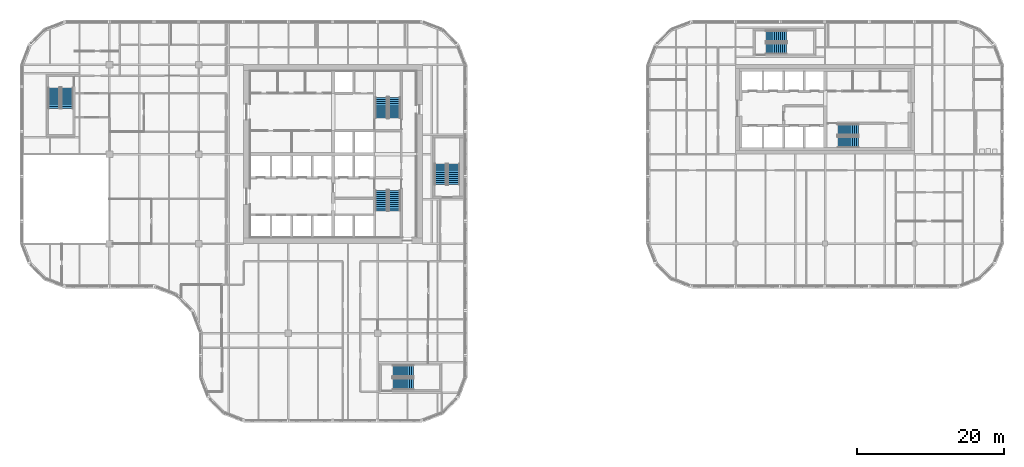
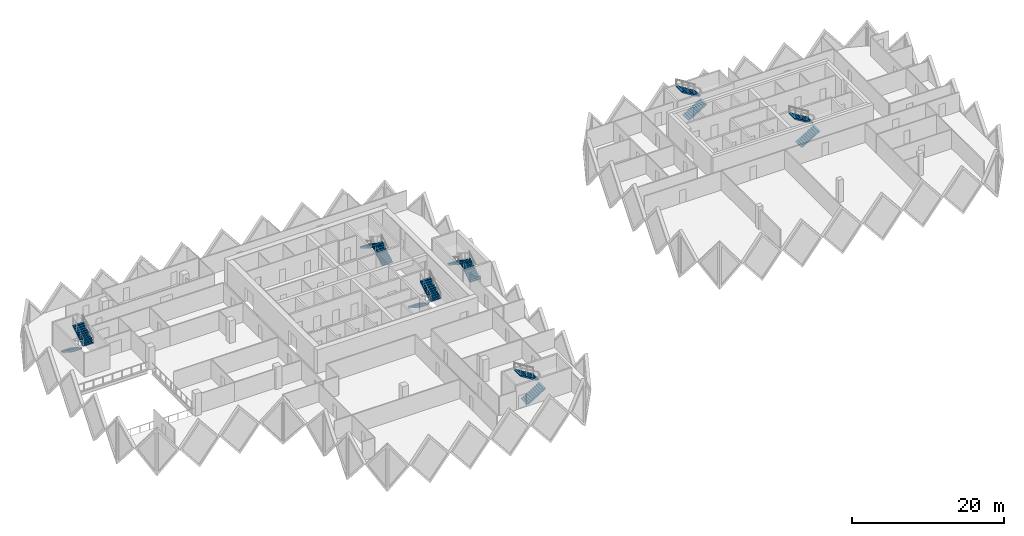
# One storey, part 16 of 19: 14 stair flights, 7 elements without a shape of their own.
"""IFC4 building model written with IfcOpenShell, lengths in metres."""

from ifc_helpers import new_model, si_unit, direction, frame, origin, place, context, subcontext, project, spatial, polyline, outline, extrude, material, type_object, element, aggregate, save


model = new_model("IFC4")

# Units and contexts
model_context = context("Model", 3, precision=1e-05, world=origin(), true_north=direction((0.0, 1.0)))
body_context = subcontext(model_context, "Body", "Model", "MODEL_VIEW")
ifc_project = project(units=[si_unit("LENGTHUNIT", "METRE"), si_unit("AREAUNIT", "SQUARE_METRE"), si_unit("VOLUMEUNIT", "CUBIC_METRE"), si_unit("PLANEANGLEUNIT", "RADIAN"), si_unit("MASSUNIT", "GRAM", prefix="KILO")], contexts=[model_context])

# Site, building, storey
site_placement = place(None, origin())
site = spatial("IfcSite", under=ifc_project, at=site_placement, CompositionType="ELEMENT")
building_placement = place(site_placement, origin())
building = spatial("IfcBuilding", under=site, at=building_placement, Name="Tessera Gate Towers", CompositionType="ELEMENT")
storey_placement = place(building_placement, frame((0.0, 0.0, 80.0)))
storey = spatial("IfcBuildingStorey", under=building, at=storey_placement, Name="L19", CompositionType="ELEMENT", Elevation=80.0)

# Stair, stair flights
ifc_material_1 = material(Name="Concrete C40/50", Category="concrete")
stair_type_1 = type_object("IfcStairType", Name="EXIT STAIR ST1 1600", PredefinedType="HALF_TURN_STAIR", material=ifc_material_1)
stair_1_placement = place(storey_placement, origin())
stair_1 = element("IfcStair", 1, at=stair_1_placement, inside=storey, type_object=stair_type_1, Name="L19 Protected Exit Stair ST1", PredefinedType="HALF_TURN_STAIR")
ifc_material_2 = material(Name="Concrete C40/50", Category="concrete")
stair_flight_type_1 = type_object("IfcStairFlightType", Name="EXIT STAIR FLIGHT ST1 1600", PredefinedType="STRAIGHT", material=ifc_material_2)
stair_flight_1_placement = place(storey_placement, frame((49.27490234375, 31.675048828125, 0.0), z_axis=(0.0, 0.0, 1.0), x_axis=(0.0, -1.0, 0.0)))
stair_flight_1 = element("IfcStairFlight", 2, at=stair_flight_1_placement, type_object=stair_flight_type_1, Name="ST1 flight 1", NumberOfRisers=11, NumberOfTreads=10, PredefinedType="STRAIGHT", RiserHeight=0.172727273, TreadLength=0.28, context=body_context, shape_type="SweptSolid", body=[
    extrude(outline(polyline([(0.0, 0.0), (0.0, 0.172607421875), (0.280029296875, 0.172607421875), (0.280029296875, 0.345458984375), (0.56005859375, 0.345458984375), (0.56005859375, 0.51806640625), (0.840087890625, 0.51806640625), (0.840087890625, 0.69091796875), (1.1201171875, 0.69091796875), (1.1201171875, 0.863525390625), (1.39990234375, 0.863525390625), (1.39990234375, 1.036376953125), (1.679931640625, 1.036376953125), (1.679931640625, 1.208984375), (1.9599609375, 1.208984375), (1.9599609375, 1.3818359375), (2.239990234375, 1.3818359375), (2.239990234375, 1.554443359375), (2.52001953125, 1.554443359375), (2.52001953125, 1.727294921875), (2.800048828125, 1.727294921875), (2.800048828125, 1.89990234375), (2.800048828125, 1.551025390625), (0.285400390625, 0.0), (0.0, 0.0)])), frame((0.0, 0.800048828125, 0.0), z_axis=(0.0, -1.0, 0.0), x_axis=(1.0, 0.0, 0.0)), (0.0, 0.0, 1.0), 1.60009765625),
])
stair_flight_2_placement = place(storey_placement, frame((51.074951171875, 28.875, 1.89990234375), z_axis=(0.0, 0.0, 1.0), x_axis=(0.0, 1.0, 0.0)))
stair_flight_2 = element("IfcStairFlight", 3, at=stair_flight_2_placement, type_object=stair_flight_type_1, Name="ST1 flight 2", NumberOfRisers=11, NumberOfTreads=10, PredefinedType="STRAIGHT", RiserHeight=0.172727273, TreadLength=0.28, context=body_context, shape_type="SweptSolid", body=[
    extrude(outline(polyline([(0.0, 0.0), (0.0, 0.172607421875), (0.280029296875, 0.172607421875), (0.280029296875, 0.345458984375), (0.56005859375, 0.345458984375), (0.56005859375, 0.51806640625), (0.840087890625, 0.51806640625), (0.840087890625, 0.69091796875), (1.1201171875, 0.69091796875), (1.1201171875, 0.863525390625), (1.39990234375, 0.863525390625), (1.39990234375, 1.036376953125), (1.679931640625, 1.036376953125), (1.679931640625, 1.208984375), (1.9599609375, 1.208984375), (1.9599609375, 1.3818359375), (2.239990234375, 1.3818359375), (2.239990234375, 1.554443359375), (2.52001953125, 1.554443359375), (2.52001953125, 1.727294921875), (2.800048828125, 1.727294921875), (2.800048828125, 1.89990234375), (2.800048828125, 1.551025390625), (0.285400390625, 0.0), (0.0, 0.0)])), frame((0.0, 0.800048828125, 0.0), z_axis=(0.0, -1.0, 0.0), x_axis=(1.0, 0.0, 0.0)), (0.0, 0.0, 1.0), 1.60009765625),
])
aggregate(stair_1, [stair_flight_1, stair_flight_2])

ifc_material_3 = material(Name="Concrete C40/50", Category="concrete")
stair_type_2 = type_object("IfcStairType", Name="EXIT STAIR ST2 1600", PredefinedType="HALF_TURN_STAIR", material=ifc_material_3)
stair_2_placement = place(storey_placement, origin())
stair_2 = element("IfcStair", 4, at=stair_2_placement, inside=storey, type_object=stair_type_2, Name="L19 Protected Exit Stair ST2", PredefinedType="HALF_TURN_STAIR")
ifc_material_4 = material(Name="Concrete C40/50", Category="concrete")
stair_flight_type_2 = type_object("IfcStairFlightType", Name="EXIT STAIR FLIGHT ST2 1600", PredefinedType="STRAIGHT", material=ifc_material_4)
stair_flight_3_placement = place(storey_placement, frame((51.074951171875, 41.52490234375, 0.0), z_axis=(0.0, 0.0, 1.0), x_axis=(0.0, 1.0, 0.0)))
stair_flight_3 = element("IfcStairFlight", 5, at=stair_flight_3_placement, type_object=stair_flight_type_2, Name="ST2 flight 1", NumberOfRisers=11, NumberOfTreads=10, PredefinedType="STRAIGHT", RiserHeight=0.172727273, TreadLength=0.28, context=body_context, shape_type="SweptSolid", body=[
    extrude(outline(polyline([(0.0, 0.0), (0.0, 0.172607421875), (0.280029296875, 0.172607421875), (0.280029296875, 0.345458984375), (0.56005859375, 0.345458984375), (0.56005859375, 0.51806640625), (0.840087890625, 0.51806640625), (0.840087890625, 0.69091796875), (1.1201171875, 0.69091796875), (1.1201171875, 0.863525390625), (1.39990234375, 0.863525390625), (1.39990234375, 1.036376953125), (1.679931640625, 1.036376953125), (1.679931640625, 1.208984375), (1.9599609375, 1.208984375), (1.9599609375, 1.3818359375), (2.239990234375, 1.3818359375), (2.239990234375, 1.554443359375), (2.52001953125, 1.554443359375), (2.52001953125, 1.727294921875), (2.800048828125, 1.727294921875), (2.800048828125, 1.89990234375), (2.800048828125, 1.551025390625), (0.285400390625, 0.0), (0.0, 0.0)])), frame((0.0, 0.800048828125, 0.0), z_axis=(0.0, -1.0, 0.0), x_axis=(1.0, 0.0, 0.0)), (0.0, 0.0, 1.0), 1.60009765625),
])
stair_flight_4_placement = place(storey_placement, frame((49.27490234375, 44.324951171875, 1.89990234375), z_axis=(0.0, 0.0, 1.0), x_axis=(0.0, -1.0, 0.0)))
stair_flight_4 = element("IfcStairFlight", 6, at=stair_flight_4_placement, type_object=stair_flight_type_2, Name="ST2 flight 2", NumberOfRisers=11, NumberOfTreads=10, PredefinedType="STRAIGHT", RiserHeight=0.172727273, TreadLength=0.28, context=body_context, shape_type="SweptSolid", body=[
    extrude(outline(polyline([(0.0, 0.0), (0.0, 0.172607421875), (0.280029296875, 0.172607421875), (0.280029296875, 0.345458984375), (0.56005859375, 0.345458984375), (0.56005859375, 0.51806640625), (0.840087890625, 0.51806640625), (0.840087890625, 0.69091796875), (1.1201171875, 0.69091796875), (1.1201171875, 0.863525390625), (1.39990234375, 0.863525390625), (1.39990234375, 1.036376953125), (1.679931640625, 1.036376953125), (1.679931640625, 1.208984375), (1.9599609375, 1.208984375), (1.9599609375, 1.3818359375), (2.239990234375, 1.3818359375), (2.239990234375, 1.554443359375), (2.52001953125, 1.554443359375), (2.52001953125, 1.727294921875), (2.800048828125, 1.727294921875), (2.800048828125, 1.89990234375), (2.800048828125, 1.551025390625), (0.285400390625, 0.0), (0.0, 0.0)])), frame((0.0, 0.800048828125, 0.0), z_axis=(0.0, -1.0, 0.0), x_axis=(1.0, 0.0, 0.0)), (0.0, 0.0, 1.0), 1.60009765625),
])
aggregate(stair_2, [stair_flight_3, stair_flight_4])

ifc_material_5 = material(Name="Concrete C40/50", Category="concrete")
stair_type_3 = type_object("IfcStairType", Name="EXIT STAIR ST3 1600", PredefinedType="HALF_TURN_STAIR", material=ifc_material_5)
stair_3_placement = place(storey_placement, origin())
stair_3 = element("IfcStair", 7, at=stair_3_placement, inside=storey, type_object=stair_type_3, Name="L19 West Exit Stair ST3", PredefinedType="HALF_TURN_STAIR")
ifc_material_6 = material(Name="Concrete C40/50", Category="concrete")
stair_flight_type_3 = type_object("IfcStairFlightType", Name="EXIT STAIR FLIGHT ST3 1600", PredefinedType="STRAIGHT", material=ifc_material_6)
stair_flight_5_placement = place(storey_placement, frame((4.64990234375, 45.64990234375, 0.0), z_axis=(0.0, 0.0, 1.0), x_axis=(0.0, -1.0, 0.0)))
stair_flight_5 = element("IfcStairFlight", 8, at=stair_flight_5_placement, type_object=stair_flight_type_3, Name="ST3 flight 1", NumberOfRisers=11, NumberOfTreads=10, PredefinedType="STRAIGHT", RiserHeight=0.172727273, TreadLength=0.28, context=body_context, shape_type="SweptSolid", body=[
    extrude(outline(polyline([(0.0, 0.0), (0.0, 0.172607421875), (0.280029296875, 0.172607421875), (0.280029296875, 0.345458984375), (0.56005859375, 0.345458984375), (0.56005859375, 0.51806640625), (0.840087890625, 0.51806640625), (0.840087890625, 0.69091796875), (1.1201171875, 0.69091796875), (1.1201171875, 0.863525390625), (1.39990234375, 0.863525390625), (1.39990234375, 1.036376953125), (1.679931640625, 1.036376953125), (1.679931640625, 1.208984375), (1.9599609375, 1.208984375), (1.9599609375, 1.3818359375), (2.239990234375, 1.3818359375), (2.239990234375, 1.554443359375), (2.52001953125, 1.554443359375), (2.52001953125, 1.727294921875), (2.800048828125, 1.727294921875), (2.800048828125, 1.89990234375), (2.800048828125, 1.551025390625), (0.285400390625, 0.0), (0.0, 0.0)])), frame((0.0, 0.800048828125, 0.0), z_axis=(0.0, -1.0, 0.0), x_axis=(1.0, 0.0, 0.0)), (0.0, 0.0, 1.0), 1.60009765625),
])
stair_flight_6_placement = place(storey_placement, frame((6.449951171875, 42.85009765625, 1.89990234375), z_axis=(0.0, 0.0, 1.0), x_axis=(0.0, 1.0, 0.0)))
stair_flight_6 = element("IfcStairFlight", 9, at=stair_flight_6_placement, type_object=stair_flight_type_3, Name="ST3 flight 2", NumberOfRisers=11, NumberOfTreads=10, PredefinedType="STRAIGHT", RiserHeight=0.172727273, TreadLength=0.28, context=body_context, shape_type="SweptSolid", body=[
    extrude(outline(polyline([(0.0, 0.0), (0.0, 0.172607421875), (0.280029296875, 0.172607421875), (0.280029296875, 0.345458984375), (0.56005859375, 0.345458984375), (0.56005859375, 0.51806640625), (0.840087890625, 0.51806640625), (0.840087890625, 0.69091796875), (1.1201171875, 0.69091796875), (1.1201171875, 0.863525390625), (1.39990234375, 0.863525390625), (1.39990234375, 1.036376953125), (1.679931640625, 1.036376953125), (1.679931640625, 1.208984375), (1.9599609375, 1.208984375), (1.9599609375, 1.3818359375), (2.239990234375, 1.3818359375), (2.239990234375, 1.554443359375), (2.52001953125, 1.554443359375), (2.52001953125, 1.727294921875), (2.800048828125, 1.727294921875), (2.800048828125, 1.89990234375), (2.800048828125, 1.551025390625), (0.285400390625, 0.0), (0.0, 0.0)])), frame((0.0, 0.800048828125, 0.0), z_axis=(0.0, -1.0, 0.0), x_axis=(1.0, 0.0, 0.0)), (0.0, 0.0, 1.0), 1.60009765625),
])
aggregate(stair_3, [stair_flight_5, stair_flight_6])

ifc_material_7 = material(Name="Concrete C40/50", Category="concrete")
stair_type_4 = type_object("IfcStairType", Name="EXIT STAIR ST4 1600", PredefinedType="HALF_TURN_STAIR", material=ifc_material_7)
stair_4_placement = place(storey_placement, origin())
stair_4 = element("IfcStair", 10, at=stair_4_placement, inside=storey, type_object=stair_type_4, Name="L19 South Exit Stair ST4", PredefinedType="HALF_TURN_STAIR")
ifc_material_8 = material(Name="Concrete C40/50", Category="concrete")
stair_flight_type_4 = type_object("IfcStairFlightType", Name="EXIT STAIR FLIGHT ST4 1600", PredefinedType="STRAIGHT", material=ifc_material_8)
stair_flight_7_placement = place(storey_placement, frame((50.85009765625, 5.25, 0.0), z_axis=(0.0, 0.0, 1.0), x_axis=(1.0, 0.0, 0.0)))
stair_flight_7 = element("IfcStairFlight", 11, at=stair_flight_7_placement, type_object=stair_flight_type_4, Name="ST4 flight 1", NumberOfRisers=11, NumberOfTreads=10, PredefinedType="STRAIGHT", RiserHeight=0.172727273, TreadLength=0.28, context=body_context, shape_type="SweptSolid", body=[
    extrude(outline(polyline([(0.0, 0.0), (0.0, 0.172607421875), (0.280029296875, 0.172607421875), (0.280029296875, 0.345458984375), (0.56005859375, 0.345458984375), (0.56005859375, 0.51806640625), (0.840087890625, 0.51806640625), (0.840087890625, 0.69091796875), (1.1201171875, 0.69091796875), (1.1201171875, 0.863525390625), (1.39990234375, 0.863525390625), (1.39990234375, 1.036376953125), (1.679931640625, 1.036376953125), (1.679931640625, 1.208984375), (1.9599609375, 1.208984375), (1.9599609375, 1.3818359375), (2.239990234375, 1.3818359375), (2.239990234375, 1.554443359375), (2.52001953125, 1.554443359375), (2.52001953125, 1.727294921875), (2.800048828125, 1.727294921875), (2.800048828125, 1.89990234375), (2.800048828125, 1.551025390625), (0.285400390625, 0.0), (0.0, 0.0)])), frame((0.0, 0.800048828125, 0.0), z_axis=(0.0, -1.0, 0.0), x_axis=(1.0, 0.0, 0.0)), (0.0, 0.0, 1.0), 1.60009765625),
])
stair_flight_8_placement = place(storey_placement, frame((53.64990234375, 7.050048828125, 1.89990234375), z_axis=(0.0, 0.0, 1.0), x_axis=(-1.0, 0.0, 0.0)))
stair_flight_8 = element("IfcStairFlight", 12, at=stair_flight_8_placement, type_object=stair_flight_type_4, Name="ST4 flight 2", NumberOfRisers=11, NumberOfTreads=10, PredefinedType="STRAIGHT", RiserHeight=0.172727273, TreadLength=0.28, context=body_context, shape_type="SweptSolid", body=[
    extrude(outline(polyline([(0.0, 0.0), (0.0, 0.172607421875), (0.280029296875, 0.172607421875), (0.280029296875, 0.345458984375), (0.56005859375, 0.345458984375), (0.56005859375, 0.51806640625), (0.840087890625, 0.51806640625), (0.840087890625, 0.69091796875), (1.1201171875, 0.69091796875), (1.1201171875, 0.863525390625), (1.39990234375, 0.863525390625), (1.39990234375, 1.036376953125), (1.679931640625, 1.036376953125), (1.679931640625, 1.208984375), (1.9599609375, 1.208984375), (1.9599609375, 1.3818359375), (2.239990234375, 1.3818359375), (2.239990234375, 1.554443359375), (2.52001953125, 1.554443359375), (2.52001953125, 1.727294921875), (2.800048828125, 1.727294921875), (2.800048828125, 1.89990234375), (2.800048828125, 1.551025390625), (0.285400390625, 0.0), (0.0, 0.0)])), frame((0.0, 0.800048828125, 0.0), z_axis=(0.0, -1.0, 0.0), x_axis=(1.0, 0.0, 0.0)), (0.0, 0.0, 1.0), 1.60009765625),
])
aggregate(stair_4, [stair_flight_7, stair_flight_8])

ifc_material_9 = material(Name="Concrete C40/50", Category="concrete")
stair_type_5 = type_object("IfcStairType", Name="EXIT STAIR ST5 1600", PredefinedType="HALF_TURN_STAIR", material=ifc_material_9)
stair_5_placement = place(storey_placement, origin())
stair_5 = element("IfcStair", 13, at=stair_5_placement, inside=storey, type_object=stair_type_5, Name="L19 East Exit Stair ST5", PredefinedType="HALF_TURN_STAIR")
ifc_material_10 = material(Name="Concrete C40/50", Category="concrete")
stair_flight_type_5 = type_object("IfcStairFlightType", Name="EXIT STAIR FLIGHT ST5 1600", PredefinedType="STRAIGHT", material=ifc_material_10)
stair_flight_9_placement = place(storey_placement, frame((59.14990234375, 32.449951171875, 0.0), z_axis=(0.0, 0.0, 1.0), x_axis=(0.0, 1.0, 0.0)))
stair_flight_9 = element("IfcStairFlight", 14, at=stair_flight_9_placement, type_object=stair_flight_type_5, Name="ST5 flight 1", NumberOfRisers=11, NumberOfTreads=10, PredefinedType="STRAIGHT", RiserHeight=0.172727273, TreadLength=0.28, context=body_context, shape_type="SweptSolid", body=[
    extrude(outline(polyline([(0.0, 0.0), (0.0, 0.172607421875), (0.280029296875, 0.172607421875), (0.280029296875, 0.345458984375), (0.56005859375, 0.345458984375), (0.56005859375, 0.51806640625), (0.840087890625, 0.51806640625), (0.840087890625, 0.69091796875), (1.1201171875, 0.69091796875), (1.1201171875, 0.863525390625), (1.39990234375, 0.863525390625), (1.39990234375, 1.036376953125), (1.679931640625, 1.036376953125), (1.679931640625, 1.208984375), (1.9599609375, 1.208984375), (1.9599609375, 1.3818359375), (2.239990234375, 1.3818359375), (2.239990234375, 1.554443359375), (2.52001953125, 1.554443359375), (2.52001953125, 1.727294921875), (2.800048828125, 1.727294921875), (2.800048828125, 1.89990234375), (2.800048828125, 1.551025390625), (0.285400390625, 0.0), (0.0, 0.0)])), frame((0.0, 0.800048828125, 0.0), z_axis=(0.0, -1.0, 0.0), x_axis=(1.0, 0.0, 0.0)), (0.0, 0.0, 1.0), 1.60009765625),
])
stair_flight_10_placement = place(storey_placement, frame((57.35009765625, 35.25, 1.89990234375), z_axis=(0.0, 0.0, 1.0), x_axis=(0.0, -1.0, 0.0)))
stair_flight_10 = element("IfcStairFlight", 15, at=stair_flight_10_placement, type_object=stair_flight_type_5, Name="ST5 flight 2", NumberOfRisers=11, NumberOfTreads=10, PredefinedType="STRAIGHT", RiserHeight=0.172727273, TreadLength=0.28, context=body_context, shape_type="SweptSolid", body=[
    extrude(outline(polyline([(0.0, 0.0), (0.0, 0.172607421875), (0.280029296875, 0.172607421875), (0.280029296875, 0.345458984375), (0.56005859375, 0.345458984375), (0.56005859375, 0.51806640625), (0.840087890625, 0.51806640625), (0.840087890625, 0.69091796875), (1.1201171875, 0.69091796875), (1.1201171875, 0.863525390625), (1.39990234375, 0.863525390625), (1.39990234375, 1.036376953125), (1.679931640625, 1.036376953125), (1.679931640625, 1.208984375), (1.9599609375, 1.208984375), (1.9599609375, 1.3818359375), (2.239990234375, 1.3818359375), (2.239990234375, 1.554443359375), (2.52001953125, 1.554443359375), (2.52001953125, 1.727294921875), (2.800048828125, 1.727294921875), (2.800048828125, 1.89990234375), (2.800048828125, 1.551025390625), (0.285400390625, 0.0), (0.0, 0.0)])), frame((0.0, 0.800048828125, 0.0), z_axis=(0.0, -1.0, 0.0), x_axis=(1.0, 0.0, 0.0)), (0.0, 0.0, 1.0), 1.60009765625),
])
aggregate(stair_5, [stair_flight_9, stair_flight_10])

ifc_material_11 = material(Name="Concrete C40/50", Category="concrete")
stair_type_6 = type_object("IfcStairType", Name="EXIT STAIR ST6 1500", PredefinedType="HALF_TURN_STAIR", material=ifc_material_11)
stair_6_placement = place(storey_placement, origin())
stair_6 = element("IfcStair", 16, at=stair_6_placement, inside=storey, type_object=stair_type_6, Name="L19 Protected Exit Stair ST6", PredefinedType="HALF_TURN_STAIR")
ifc_material_12 = material(Name="Concrete C40/50", Category="concrete")
stair_flight_type_6 = type_object("IfcStairFlightType", Name="EXIT STAIR FLIGHT ST6 1500", PredefinedType="STRAIGHT", material=ifc_material_12)
stair_flight_11_placement = place(storey_placement, frame((111.550048828125, 38.25, 0.0), z_axis=(0.0, 0.0, 1.0), x_axis=(1.0, 0.0, 0.0)))
stair_flight_11 = element("IfcStairFlight", 17, at=stair_flight_11_placement, type_object=stair_flight_type_6, Name="ST6 flight 1", NumberOfRisers=11, NumberOfTreads=10, PredefinedType="STRAIGHT", RiserHeight=0.172727273, TreadLength=0.28, context=body_context, shape_type="SweptSolid", body=[
    extrude(outline(polyline([(0.0, 0.0), (0.0, 0.172607421875), (0.280029296875, 0.172607421875), (0.280029296875, 0.345458984375), (0.56005859375, 0.345458984375), (0.56005859375, 0.51806640625), (0.840087890625, 0.51806640625), (0.840087890625, 0.69091796875), (1.1201171875, 0.69091796875), (1.1201171875, 0.863525390625), (1.39990234375, 0.863525390625), (1.39990234375, 1.036376953125), (1.679931640625, 1.036376953125), (1.679931640625, 1.208984375), (1.9599609375, 1.208984375), (1.9599609375, 1.3818359375), (2.239990234375, 1.3818359375), (2.239990234375, 1.554443359375), (2.52001953125, 1.554443359375), (2.52001953125, 1.727294921875), (2.800048828125, 1.727294921875), (2.800048828125, 1.89990234375), (2.800048828125, 1.551025390625), (0.285400390625, 0.0), (0.0, 0.0)])), frame((0.0, 0.75, 0.0), z_axis=(0.0, -1.0, 0.0), x_axis=(1.0, 0.0, 0.0)), (0.0, 0.0, 1.0), 1.5),
])
stair_flight_12_placement = place(storey_placement, frame((114.35009765625, 39.949951171875, 1.89990234375), z_axis=(0.0, 0.0, 1.0), x_axis=(-1.0, 0.0, 0.0)))
stair_flight_12 = element("IfcStairFlight", 18, at=stair_flight_12_placement, type_object=stair_flight_type_6, Name="ST6 flight 2", NumberOfRisers=11, NumberOfTreads=10, PredefinedType="STRAIGHT", RiserHeight=0.172727273, TreadLength=0.28, context=body_context, shape_type="SweptSolid", body=[
    extrude(outline(polyline([(0.0, 0.0), (0.0, 0.172607421875), (0.280029296875, 0.172607421875), (0.280029296875, 0.345458984375), (0.56005859375, 0.345458984375), (0.56005859375, 0.51806640625), (0.840087890625, 0.51806640625), (0.840087890625, 0.69091796875), (1.1201171875, 0.69091796875), (1.1201171875, 0.863525390625), (1.39990234375, 0.863525390625), (1.39990234375, 1.036376953125), (1.679931640625, 1.036376953125), (1.679931640625, 1.208984375), (1.9599609375, 1.208984375), (1.9599609375, 1.3818359375), (2.239990234375, 1.3818359375), (2.239990234375, 1.554443359375), (2.52001953125, 1.554443359375), (2.52001953125, 1.727294921875), (2.800048828125, 1.727294921875), (2.800048828125, 1.89990234375), (2.800048828125, 1.551025390625), (0.285400390625, 0.0), (0.0, 0.0)])), frame((0.0, 0.75, 0.0), z_axis=(0.0, -1.0, 0.0), x_axis=(1.0, 0.0, 0.0)), (0.0, 0.0, 1.0), 1.5),
])
aggregate(stair_6, [stair_flight_11, stair_flight_12])

ifc_material_13 = material(Name="Concrete C40/50", Category="concrete")
stair_type_7 = type_object("IfcStairType", Name="EXIT STAIR ST7 1500", PredefinedType="HALF_TURN_STAIR", material=ifc_material_13)
stair_7_placement = place(storey_placement, origin())
stair_7 = element("IfcStair", 19, at=stair_7_placement, inside=storey, type_object=stair_type_7, Name="L19 North Exit Stair ST7", PredefinedType="HALF_TURN_STAIR")
ifc_material_14 = material(Name="Concrete C40/50", Category="concrete")
stair_flight_type_7 = type_object("IfcStairFlightType", Name="EXIT STAIR FLIGHT ST7 1500", PredefinedType="STRAIGHT", material=ifc_material_14)
stair_flight_13_placement = place(storey_placement, frame((101.75, 51.0, 0.0), z_axis=(0.0, 0.0, 1.0), x_axis=(1.0, 0.0, 0.0)))
stair_flight_13 = element("IfcStairFlight", 20, at=stair_flight_13_placement, type_object=stair_flight_type_7, Name="ST7 flight 1", NumberOfRisers=11, NumberOfTreads=10, PredefinedType="STRAIGHT", RiserHeight=0.172727273, TreadLength=0.28, context=body_context, shape_type="SweptSolid", body=[
    extrude(outline(polyline([(0.0, 0.0), (0.0, 0.172607421875), (0.280029296875, 0.172607421875), (0.280029296875, 0.345458984375), (0.56005859375, 0.345458984375), (0.56005859375, 0.51806640625), (0.840087890625, 0.51806640625), (0.840087890625, 0.69091796875), (1.1201171875, 0.69091796875), (1.1201171875, 0.863525390625), (1.39990234375, 0.863525390625), (1.39990234375, 1.036376953125), (1.679931640625, 1.036376953125), (1.679931640625, 1.208984375), (1.9599609375, 1.208984375), (1.9599609375, 1.3818359375), (2.239990234375, 1.3818359375), (2.239990234375, 1.554443359375), (2.52001953125, 1.554443359375), (2.52001953125, 1.727294921875), (2.800048828125, 1.727294921875), (2.800048828125, 1.89990234375), (2.800048828125, 1.551025390625), (0.285400390625, 0.0), (0.0, 0.0)])), frame((0.0, 0.75, 0.0), z_axis=(0.0, -1.0, 0.0), x_axis=(1.0, 0.0, 0.0)), (0.0, 0.0, 1.0), 1.5),
])
stair_flight_14_placement = place(storey_placement, frame((104.550048828125, 52.699951171875, 1.89990234375), z_axis=(0.0, 0.0, 1.0), x_axis=(-1.0, 0.0, 0.0)))
stair_flight_14 = element("IfcStairFlight", 21, at=stair_flight_14_placement, type_object=stair_flight_type_7, Name="ST7 flight 2", NumberOfRisers=11, NumberOfTreads=10, PredefinedType="STRAIGHT", RiserHeight=0.172727273, TreadLength=0.28, context=body_context, shape_type="SweptSolid", body=[
    extrude(outline(polyline([(0.0, 0.0), (0.0, 0.172607421875), (0.280029296875, 0.172607421875), (0.280029296875, 0.345458984375), (0.56005859375, 0.345458984375), (0.56005859375, 0.51806640625), (0.840087890625, 0.51806640625), (0.840087890625, 0.69091796875), (1.1201171875, 0.69091796875), (1.1201171875, 0.863525390625), (1.39990234375, 0.863525390625), (1.39990234375, 1.036376953125), (1.679931640625, 1.036376953125), (1.679931640625, 1.208984375), (1.9599609375, 1.208984375), (1.9599609375, 1.3818359375), (2.239990234375, 1.3818359375), (2.239990234375, 1.554443359375), (2.52001953125, 1.554443359375), (2.52001953125, 1.727294921875), (2.800048828125, 1.727294921875), (2.800048828125, 1.89990234375), (2.800048828125, 1.551025390625), (0.285400390625, 0.0), (0.0, 0.0)])), frame((0.0, 0.75, 0.0), z_axis=(0.0, -1.0, 0.0), x_axis=(1.0, 0.0, 0.0)), (0.0, 0.0, 1.0), 1.5),
])
aggregate(stair_7, [stair_flight_13, stair_flight_14])

save(model, "model.ifc")
